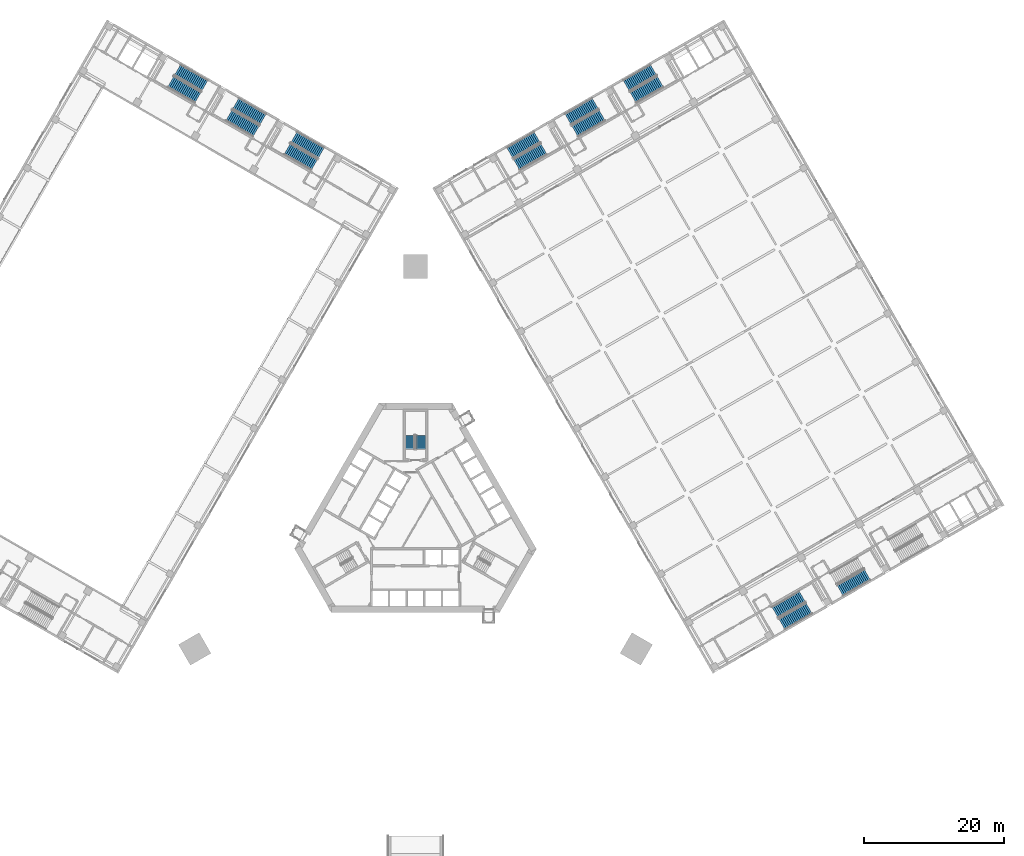
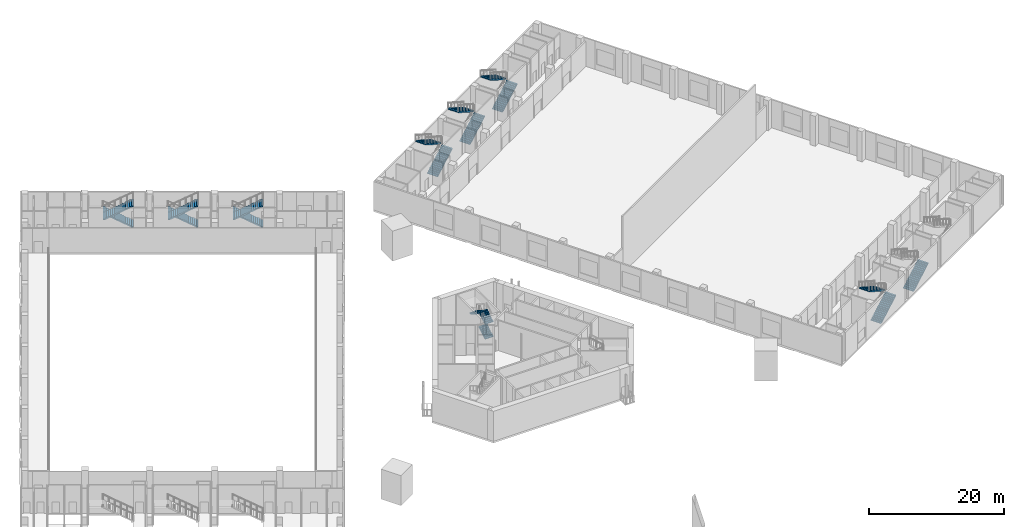
# One storey, part 24 of 35: 18 stair flights, 9 elements without a shape of their own.
"""IFC4 building model written with IfcOpenShell, lengths in metres."""

from ifc_helpers import new_model, si_unit, direction, frame, origin, place, context, subcontext, project, spatial, polyline, outline, extrude, material, type_object, element, aggregate, save


model = new_model("IFC4")

# Units and contexts
model_context = context("Model", 3, precision=1e-05, world=origin(), true_north=direction((0.0, 1.0)))
body_context = subcontext(model_context, "Body", "Model", "MODEL_VIEW")
ifc_project = project(units=[si_unit("LENGTHUNIT", "METRE"), si_unit("AREAUNIT", "SQUARE_METRE"), si_unit("VOLUMEUNIT", "CUBIC_METRE"), si_unit("PLANEANGLEUNIT", "RADIAN"), si_unit("MASSUNIT", "GRAM", prefix="KILO")], contexts=[model_context])

# Site, building, storey
site_placement = place(None, origin())
site = spatial("IfcSite", under=ifc_project, at=site_placement, CompositionType="ELEMENT")
building_placement = place(site_placement, origin())
building = spatial("IfcBuilding", under=site, at=building_placement, Name="Mestral Congress Tower", CompositionType="ELEMENT")
storey_placement = place(building_placement, frame((0.0, 0.0, 6.0)))
storey = spatial("IfcBuildingStorey", under=building, at=storey_placement, Name="L01", CompositionType="ELEMENT", Elevation=6.0)

# Stair, stair flights
ifc_material_1 = material(Name="Concrete C60/75", Category="concrete")
stair_type_1 = type_object("IfcStairType", Name="Exit stair 1400", PredefinedType="HALF_TURN_STAIR", material=ifc_material_1)
placement = place(storey_placement, origin())
stair_1 = element("IfcStair", 1, at=placement, inside=storey, type_object=stair_type_1, Name="L01 ST2", PredefinedType="HALF_TURN_STAIR")
stair_flight_type_1 = type_object("IfcStairFlightType", Name="Exit stair flight 1400", PredefinedType="STRAIGHT", material=ifc_material_1)
stair_flight_1_placement = place(storey_placement, frame((0.77490234375, 10.35009765625, 0.0), z_axis=(0.0, 0.0, 1.0), x_axis=(0.0, 1.0, 0.0)))
stair_flight_1 = element("IfcStairFlight", 2, at=stair_flight_1_placement, type_object=stair_flight_type_1, Name="ST2 flight 1", NumberOfRisers=8, NumberOfTreads=7, PredefinedType="STRAIGHT", RiserHeight=0.16875, TreadLength=0.28, context=body_context, shape_type="SweptSolid", body=[
    extrude(outline(polyline([(0.0, 0.0), (0.0, 0.168701171875), (0.280029296875, 0.168701171875), (0.280029296875, 0.33740234375), (0.56005859375, 0.33740234375), (0.56005859375, 0.50634765625), (0.840087890625, 0.50634765625), (0.840087890625, 0.675048828125), (1.1201171875, 0.675048828125), (1.1201171875, 0.84375), (1.39990234375, 0.84375), (1.39990234375, 1.012451171875), (1.679931640625, 1.012451171875), (1.679931640625, 1.18115234375), (1.9599609375, 1.18115234375), (1.9599609375, 1.35009765625), (1.9599609375, 1.00634765625), (0.29052734375, 0.0), (0.0, 0.0)])), frame((0.0, 0.699951171875, 0.0), z_axis=(0.0, -1.0, 0.0), x_axis=(1.0, 0.0, 0.0)), (0.0, 0.0, 1.0), 0.700927734375),
    extrude(outline(polyline([(0.0, 0.0), (0.0, 0.168701171875), (0.280029296875, 0.168701171875), (0.280029296875, 0.33740234375), (0.56005859375, 0.33740234375), (0.56005859375, 0.50634765625), (0.840087890625, 0.50634765625), (0.840087890625, 0.675048828125), (1.1201171875, 0.675048828125), (1.1201171875, 0.84375), (1.39990234375, 0.84375), (1.39990234375, 1.012451171875), (1.679931640625, 1.012451171875), (1.679931640625, 1.18115234375), (1.9599609375, 1.18115234375), (1.9599609375, 1.35009765625), (1.9599609375, 1.00634765625), (0.29052734375, 0.0), (0.0, 0.0)])), frame((0.0, 0.0009765625, 0.0), z_axis=(0.0, -1.0, 0.0), x_axis=(1.0, 0.0, 0.0)), (0.0, 0.0, 1.0), 0.700927734375),
])
stair_flight_2_placement = place(storey_placement, frame((0.77490234375, 10.35009765625, 2.699951171875), z_axis=(0.0, 0.0, 1.0), x_axis=(0.0, 1.0, 0.0)))
stair_flight_2 = element("IfcStairFlight", 3, at=stair_flight_2_placement, type_object=stair_flight_type_1, Name="ST2 flight 3", NumberOfRisers=8, NumberOfTreads=7, PredefinedType="STRAIGHT", RiserHeight=0.16875, TreadLength=0.28, context=body_context, shape_type="SweptSolid", body=[
    extrude(outline(polyline([(0.0, 0.0), (0.0, 0.168701171875), (0.280029296875, 0.168701171875), (0.280029296875, 0.33740234375), (0.56005859375, 0.33740234375), (0.56005859375, 0.50634765625), (0.840087890625, 0.50634765625), (0.840087890625, 0.675048828125), (1.1201171875, 0.675048828125), (1.1201171875, 0.84375), (1.39990234375, 0.84375), (1.39990234375, 1.012451171875), (1.679931640625, 1.012451171875), (1.679931640625, 1.18115234375), (1.9599609375, 1.18115234375), (1.9599609375, 1.35009765625), (1.9599609375, 1.00634765625), (0.29052734375, 0.0), (0.0, 0.0)])), frame((0.0, 0.699951171875, 0.0), z_axis=(0.0, -1.0, 0.0), x_axis=(1.0, 0.0, 0.0)), (0.0, 0.0, 1.0), 0.700927734375),
    extrude(outline(polyline([(0.0, 0.0), (0.0, 0.168701171875), (0.280029296875, 0.168701171875), (0.280029296875, 0.33740234375), (0.56005859375, 0.33740234375), (0.56005859375, 0.50634765625), (0.840087890625, 0.50634765625), (0.840087890625, 0.675048828125), (1.1201171875, 0.675048828125), (1.1201171875, 0.84375), (1.39990234375, 0.84375), (1.39990234375, 1.012451171875), (1.679931640625, 1.012451171875), (1.679931640625, 1.18115234375), (1.9599609375, 1.18115234375), (1.9599609375, 1.35009765625), (1.9599609375, 1.00634765625), (0.29052734375, 0.0), (0.0, 0.0)])), frame((0.0, 0.0009765625, 0.0), z_axis=(0.0, -1.0, 0.0), x_axis=(1.0, 0.0, 0.0)), (0.0, 0.0, 1.0), 0.700927734375),
])
stair_flight_3_placement = place(storey_placement, frame((-0.77490234375, 12.31005859375, 4.050048828125), z_axis=(0.0, 0.0, 1.0), x_axis=(0.0, -1.0, 0.0)))
stair_flight_3 = element("IfcStairFlight", 4, at=stair_flight_3_placement, type_object=stair_flight_type_1, Name="ST2 flight 4", NumberOfRisers=8, NumberOfTreads=7, PredefinedType="STRAIGHT", RiserHeight=0.16875, TreadLength=0.28, context=body_context, shape_type="SweptSolid", body=[
    extrude(outline(polyline([(0.0, 0.0), (0.0, 0.168701171875), (0.280029296875, 0.168701171875), (0.280029296875, 0.33740234375), (0.56005859375, 0.33740234375), (0.56005859375, 0.50634765625), (0.840087890625, 0.50634765625), (0.840087890625, 0.675048828125), (1.1201171875, 0.675048828125), (1.1201171875, 0.84375), (1.39990234375, 0.84375), (1.39990234375, 1.012451171875), (1.679931640625, 1.012451171875), (1.679931640625, 1.18115234375), (1.9599609375, 1.18115234375), (1.9599609375, 1.35009765625), (1.9599609375, 1.00634765625), (0.29052734375, 0.0), (0.0, 0.0)])), frame((0.0, 0.699951171875, 0.0), z_axis=(0.0, -1.0, 0.0), x_axis=(1.0, 0.0, 0.0)), (0.0, 0.0, 1.0), 0.700927734375),
    extrude(outline(polyline([(0.0, 0.0), (0.0, 0.168701171875), (0.280029296875, 0.168701171875), (0.280029296875, 0.33740234375), (0.56005859375, 0.33740234375), (0.56005859375, 0.50634765625), (0.840087890625, 0.50634765625), (0.840087890625, 0.675048828125), (1.1201171875, 0.675048828125), (1.1201171875, 0.84375), (1.39990234375, 0.84375), (1.39990234375, 1.012451171875), (1.679931640625, 1.012451171875), (1.679931640625, 1.18115234375), (1.9599609375, 1.18115234375), (1.9599609375, 1.35009765625), (1.9599609375, 1.00634765625), (0.29052734375, 0.0), (0.0, 0.0)])), frame((0.0, 0.0009765625, 0.0), z_axis=(0.0, -1.0, 0.0), x_axis=(1.0, 0.0, 0.0)), (0.0, 0.0, 1.0), 0.700927734375),
])
aggregate(stair_1, [stair_flight_1, stair_flight_2, stair_flight_3])

ifc_material_2 = material(Name="Concrete C40/50", Category="concrete")
stair_type_2 = type_object("IfcStairType", Name="Podium exit stair 1800", PredefinedType="HALF_TURN_STAIR", material=ifc_material_2)
stair_2 = element("IfcStair", 5, at=placement, inside=storey, type_object=stair_type_2, Name="L01 Exit stair E1", PredefinedType="HALF_TURN_STAIR")
stair_flight_type_2 = type_object("IfcStairFlightType", Name="Podium exit stair flight 1800", PredefinedType="STRAIGHT", material=ifc_material_2)
stair_flight_4_placement = place(storey_placement, frame((52.31494140625, -14.656005859375, 0.0), z_axis=(0.0, 0.0, 1.0), x_axis=(0.866025403784, 0.5, 0.0)))
stair_flight_4 = element("IfcStairFlight", 6, at=stair_flight_4_placement, type_object=stair_flight_type_2, Name="PS-E1 flight 1", NumberOfRisers=17, NumberOfTreads=16, PredefinedType="STRAIGHT", RiserHeight=0.158823529, TreadLength=0.28, context=body_context, shape_type="SweptSolid", body=[
    extrude(outline(polyline([(0.0, 0.0), (0.0, 0.158935546875), (0.280029296875, 0.158935546875), (0.280029296875, 0.317626953125), (0.56005859375, 0.317626953125), (0.56005859375, 0.4765625), (0.840087890625, 0.4765625), (0.840087890625, 0.63525390625), (1.1201171875, 0.63525390625), (1.1201171875, 0.794189453125), (1.39990234375, 0.794189453125), (1.39990234375, 0.952880859375), (1.679931640625, 0.952880859375), (1.679931640625, 1.11181640625), (1.9599609375, 1.11181640625), (1.9599609375, 1.2705078125), (2.239990234375, 1.2705078125), (2.239990234375, 1.429443359375), (2.52001953125, 1.429443359375), (2.52001953125, 1.588134765625), (2.800048828125, 1.588134765625), (2.800048828125, 1.7470703125), (3.080078125, 1.7470703125), (3.080078125, 1.90576171875), (3.360107421875, 1.90576171875), (3.360107421875, 2.064697265625), (3.639892578125, 2.064697265625), (3.639892578125, 2.2236328125), (3.919921875, 2.2236328125), (3.919921875, 2.38232421875), (4.199951171875, 2.38232421875), (4.199951171875, 2.541259765625), (4.47998046875, 2.541259765625), (4.47998046875, 2.699951171875), (4.47998046875, 2.368896484375), (0.3037109375, 0.0), (0.0, 0.0)])), frame((0.0, 0.89990234375, 0.0), z_axis=(0.0, -1.0, 0.0), x_axis=(1.0, 0.0, 0.0)), (0.0, 0.0, 1.0), 1.800048828125),
])
stair_flight_5_placement = place(storey_placement, frame((55.2197265625, -10.727294921875, 2.699951171875), z_axis=(0.0, 0.0, 1.0), x_axis=(-0.866025403784, -0.5, 0.0)))
stair_flight_5 = element("IfcStairFlight", 7, at=stair_flight_5_placement, type_object=stair_flight_type_2, Name="PS-E1 flight 2", NumberOfRisers=17, NumberOfTreads=16, PredefinedType="STRAIGHT", RiserHeight=0.158823529, TreadLength=0.28, context=body_context, shape_type="SweptSolid", body=[
    extrude(outline(polyline([(0.0, 0.0), (0.0, 0.158935546875), (0.280029296875, 0.158935546875), (0.280029296875, 0.317626953125), (0.56005859375, 0.317626953125), (0.56005859375, 0.4765625), (0.840087890625, 0.4765625), (0.840087890625, 0.63525390625), (1.1201171875, 0.63525390625), (1.1201171875, 0.794189453125), (1.39990234375, 0.794189453125), (1.39990234375, 0.952880859375), (1.679931640625, 0.952880859375), (1.679931640625, 1.11181640625), (1.9599609375, 1.11181640625), (1.9599609375, 1.2705078125), (2.239990234375, 1.2705078125), (2.239990234375, 1.429443359375), (2.52001953125, 1.429443359375), (2.52001953125, 1.588134765625), (2.800048828125, 1.588134765625), (2.800048828125, 1.7470703125), (3.080078125, 1.7470703125), (3.080078125, 1.90576171875), (3.360107421875, 1.90576171875), (3.360107421875, 2.064697265625), (3.639892578125, 2.064697265625), (3.639892578125, 2.2236328125), (3.919921875, 2.2236328125), (3.919921875, 2.38232421875), (4.199951171875, 2.38232421875), (4.199951171875, 2.541259765625), (4.47998046875, 2.541259765625), (4.47998046875, 2.699951171875), (4.47998046875, 2.368896484375), (0.3037109375, 0.0), (0.0, 0.0)])), frame((0.0, 0.89990234375, 0.0), z_axis=(0.0, -1.0, 0.0), x_axis=(1.0, 0.0, 0.0)), (0.0, 0.0, 1.0), 1.800048828125),
])
aggregate(stair_2, [stair_flight_4, stair_flight_5])

# Stair, stair flight
stair_3 = element("IfcStair", 8, at=placement, inside=storey, type_object=stair_type_2, Name="L01 Exit stair E2", PredefinedType="HALF_TURN_STAIR")
stair_flight_6_placement = place(storey_placement, frame((60.628662109375, -9.85595703125, 0.0), z_axis=(0.0, 0.0, 1.0), x_axis=(0.866025403784, 0.5, 0.0)))
stair_flight_6 = element("IfcStairFlight", 9, at=stair_flight_6_placement, type_object=stair_flight_type_2, Name="PS-E2 flight 1", NumberOfRisers=17, NumberOfTreads=16, PredefinedType="STRAIGHT", RiserHeight=0.158823529, TreadLength=0.28, context=body_context, shape_type="SweptSolid", body=[
    extrude(outline(polyline([(0.0, 0.0), (0.0, 0.158935546875), (0.280029296875, 0.158935546875), (0.280029296875, 0.317626953125), (0.56005859375, 0.317626953125), (0.56005859375, 0.4765625), (0.840087890625, 0.4765625), (0.840087890625, 0.63525390625), (1.1201171875, 0.63525390625), (1.1201171875, 0.794189453125), (1.39990234375, 0.794189453125), (1.39990234375, 0.952880859375), (1.679931640625, 0.952880859375), (1.679931640625, 1.11181640625), (1.9599609375, 1.11181640625), (1.9599609375, 1.2705078125), (2.239990234375, 1.2705078125), (2.239990234375, 1.429443359375), (2.52001953125, 1.429443359375), (2.52001953125, 1.588134765625), (2.800048828125, 1.588134765625), (2.800048828125, 1.7470703125), (3.080078125, 1.7470703125), (3.080078125, 1.90576171875), (3.360107421875, 1.90576171875), (3.360107421875, 2.064697265625), (3.639892578125, 2.064697265625), (3.639892578125, 2.2236328125), (3.919921875, 2.2236328125), (3.919921875, 2.38232421875), (4.199951171875, 2.38232421875), (4.199951171875, 2.541259765625), (4.47998046875, 2.541259765625), (4.47998046875, 2.699951171875), (4.47998046875, 2.368896484375), (0.3037109375, 0.0), (0.0, 0.0)])), frame((0.0, 0.89990234375, 0.0), z_axis=(0.0, -1.0, 0.0), x_axis=(1.0, 0.0, 0.0)), (0.0, 0.0, 1.0), 1.800048828125),
])
aggregate(stair_3, [stair_flight_6])

# Stair, stair flights
stair_4 = element("IfcStair", 10, at=placement, inside=storey, type_object=stair_type_2, Name="L01 Exit stair E4", PredefinedType="HALF_TURN_STAIR")
stair_flight_7_placement = place(storey_placement, frame((14.43994140625, 50.9453125, 0.0), z_axis=(0.0, 0.0, 1.0), x_axis=(0.866025403784, 0.5, 0.0)))
stair_flight_7 = element("IfcStairFlight", 11, at=stair_flight_7_placement, type_object=stair_flight_type_2, Name="PS-E4 flight 1", NumberOfRisers=17, NumberOfTreads=16, PredefinedType="STRAIGHT", RiserHeight=0.158823529, TreadLength=0.28, context=body_context, shape_type="SweptSolid", body=[
    extrude(outline(polyline([(0.0, 0.0), (0.0, 0.158935546875), (0.280029296875, 0.158935546875), (0.280029296875, 0.317626953125), (0.56005859375, 0.317626953125), (0.56005859375, 0.4765625), (0.840087890625, 0.4765625), (0.840087890625, 0.63525390625), (1.1201171875, 0.63525390625), (1.1201171875, 0.794189453125), (1.39990234375, 0.794189453125), (1.39990234375, 0.952880859375), (1.679931640625, 0.952880859375), (1.679931640625, 1.11181640625), (1.9599609375, 1.11181640625), (1.9599609375, 1.2705078125), (2.239990234375, 1.2705078125), (2.239990234375, 1.429443359375), (2.52001953125, 1.429443359375), (2.52001953125, 1.588134765625), (2.800048828125, 1.588134765625), (2.800048828125, 1.7470703125), (3.080078125, 1.7470703125), (3.080078125, 1.90576171875), (3.360107421875, 1.90576171875), (3.360107421875, 2.064697265625), (3.639892578125, 2.064697265625), (3.639892578125, 2.2236328125), (3.919921875, 2.2236328125), (3.919921875, 2.38232421875), (4.199951171875, 2.38232421875), (4.199951171875, 2.541259765625), (4.47998046875, 2.541259765625), (4.47998046875, 2.699951171875), (4.47998046875, 2.368896484375), (0.3037109375, 0.0), (0.0, 0.0)])), frame((0.0, 0.89990234375, 0.0), z_axis=(0.0, -1.0, 0.0), x_axis=(1.0, 0.0, 0.0)), (0.0, 0.0, 1.0), 1.800048828125),
])
stair_flight_8_placement = place(storey_placement, frame((17.3447265625, 54.8740234375, 2.699951171875), z_axis=(0.0, 0.0, 1.0), x_axis=(-0.866025403784, -0.5, 0.0)))
stair_flight_8 = element("IfcStairFlight", 12, at=stair_flight_8_placement, type_object=stair_flight_type_2, Name="PS-E4 flight 2", NumberOfRisers=17, NumberOfTreads=16, PredefinedType="STRAIGHT", RiserHeight=0.158823529, TreadLength=0.28, context=body_context, shape_type="SweptSolid", body=[
    extrude(outline(polyline([(0.0, 0.0), (0.0, 0.158935546875), (0.280029296875, 0.158935546875), (0.280029296875, 0.317626953125), (0.56005859375, 0.317626953125), (0.56005859375, 0.4765625), (0.840087890625, 0.4765625), (0.840087890625, 0.63525390625), (1.1201171875, 0.63525390625), (1.1201171875, 0.794189453125), (1.39990234375, 0.794189453125), (1.39990234375, 0.952880859375), (1.679931640625, 0.952880859375), (1.679931640625, 1.11181640625), (1.9599609375, 1.11181640625), (1.9599609375, 1.2705078125), (2.239990234375, 1.2705078125), (2.239990234375, 1.429443359375), (2.52001953125, 1.429443359375), (2.52001953125, 1.588134765625), (2.800048828125, 1.588134765625), (2.800048828125, 1.7470703125), (3.080078125, 1.7470703125), (3.080078125, 1.90576171875), (3.360107421875, 1.90576171875), (3.360107421875, 2.064697265625), (3.639892578125, 2.064697265625), (3.639892578125, 2.2236328125), (3.919921875, 2.2236328125), (3.919921875, 2.38232421875), (4.199951171875, 2.38232421875), (4.199951171875, 2.541259765625), (4.47998046875, 2.541259765625), (4.47998046875, 2.699951171875), (4.47998046875, 2.368896484375), (0.3037109375, 0.0), (0.0, 0.0)])), frame((0.0, 0.89990234375, 0.0), z_axis=(0.0, -1.0, 0.0), x_axis=(1.0, 0.0, 0.0)), (0.0, 0.0, 1.0), 1.800048828125),
])
aggregate(stair_4, [stair_flight_7, stair_flight_8])

stair_5 = element("IfcStair", 13, at=placement, inside=storey, type_object=stair_type_2, Name="L01 Exit stair E5", PredefinedType="HALF_TURN_STAIR")
stair_flight_9_placement = place(storey_placement, frame((22.753662109375, 55.745361328125, 0.0), z_axis=(0.0, 0.0, 1.0), x_axis=(0.866025403784, 0.5, 0.0)))
stair_flight_9 = element("IfcStairFlight", 14, at=stair_flight_9_placement, type_object=stair_flight_type_2, Name="PS-E5 flight 1", NumberOfRisers=17, NumberOfTreads=16, PredefinedType="STRAIGHT", RiserHeight=0.158823529, TreadLength=0.28, context=body_context, shape_type="SweptSolid", body=[
    extrude(outline(polyline([(0.0, 0.0), (0.0, 0.158935546875), (0.280029296875, 0.158935546875), (0.280029296875, 0.317626953125), (0.56005859375, 0.317626953125), (0.56005859375, 0.4765625), (0.840087890625, 0.4765625), (0.840087890625, 0.63525390625), (1.1201171875, 0.63525390625), (1.1201171875, 0.794189453125), (1.39990234375, 0.794189453125), (1.39990234375, 0.952880859375), (1.679931640625, 0.952880859375), (1.679931640625, 1.11181640625), (1.9599609375, 1.11181640625), (1.9599609375, 1.2705078125), (2.239990234375, 1.2705078125), (2.239990234375, 1.429443359375), (2.52001953125, 1.429443359375), (2.52001953125, 1.588134765625), (2.800048828125, 1.588134765625), (2.800048828125, 1.7470703125), (3.080078125, 1.7470703125), (3.080078125, 1.90576171875), (3.360107421875, 1.90576171875), (3.360107421875, 2.064697265625), (3.639892578125, 2.064697265625), (3.639892578125, 2.2236328125), (3.919921875, 2.2236328125), (3.919921875, 2.38232421875), (4.199951171875, 2.38232421875), (4.199951171875, 2.541259765625), (4.47998046875, 2.541259765625), (4.47998046875, 2.699951171875), (4.47998046875, 2.368896484375), (0.3037109375, 0.0), (0.0, 0.0)])), frame((0.0, 0.89990234375, 0.0), z_axis=(0.0, -1.0, 0.0), x_axis=(1.0, 0.0, 0.0)), (0.0, 0.0, 1.0), 1.800048828125),
])
stair_flight_10_placement = place(storey_placement, frame((25.658447265625, 59.674072265625, 2.699951171875), z_axis=(0.0, 0.0, 1.0), x_axis=(-0.866025403784, -0.5, 0.0)))
stair_flight_10 = element("IfcStairFlight", 15, at=stair_flight_10_placement, type_object=stair_flight_type_2, Name="PS-E5 flight 2", NumberOfRisers=17, NumberOfTreads=16, PredefinedType="STRAIGHT", RiserHeight=0.158823529, TreadLength=0.28, context=body_context, shape_type="SweptSolid", body=[
    extrude(outline(polyline([(0.0, 0.0), (0.0, 0.158935546875), (0.280029296875, 0.158935546875), (0.280029296875, 0.317626953125), (0.56005859375, 0.317626953125), (0.56005859375, 0.4765625), (0.840087890625, 0.4765625), (0.840087890625, 0.63525390625), (1.1201171875, 0.63525390625), (1.1201171875, 0.794189453125), (1.39990234375, 0.794189453125), (1.39990234375, 0.952880859375), (1.679931640625, 0.952880859375), (1.679931640625, 1.11181640625), (1.9599609375, 1.11181640625), (1.9599609375, 1.2705078125), (2.239990234375, 1.2705078125), (2.239990234375, 1.429443359375), (2.52001953125, 1.429443359375), (2.52001953125, 1.588134765625), (2.800048828125, 1.588134765625), (2.800048828125, 1.7470703125), (3.080078125, 1.7470703125), (3.080078125, 1.90576171875), (3.360107421875, 1.90576171875), (3.360107421875, 2.064697265625), (3.639892578125, 2.064697265625), (3.639892578125, 2.2236328125), (3.919921875, 2.2236328125), (3.919921875, 2.38232421875), (4.199951171875, 2.38232421875), (4.199951171875, 2.541259765625), (4.47998046875, 2.541259765625), (4.47998046875, 2.699951171875), (4.47998046875, 2.368896484375), (0.3037109375, 0.0), (0.0, 0.0)])), frame((0.0, 0.89990234375, 0.0), z_axis=(0.0, -1.0, 0.0), x_axis=(1.0, 0.0, 0.0)), (0.0, 0.0, 1.0), 1.800048828125),
])
aggregate(stair_5, [stair_flight_9, stair_flight_10])

stair_6 = element("IfcStair", 16, at=placement, inside=storey, type_object=stair_type_2, Name="L01 Exit stair E6", PredefinedType="HALF_TURN_STAIR")
stair_flight_11_placement = place(storey_placement, frame((31.067626953125, 60.54541015625, 0.0), z_axis=(0.0, 0.0, 1.0), x_axis=(0.866025403784, 0.5, 0.0)))
stair_flight_11 = element("IfcStairFlight", 17, at=stair_flight_11_placement, type_object=stair_flight_type_2, Name="PS-E6 flight 1", NumberOfRisers=17, NumberOfTreads=16, PredefinedType="STRAIGHT", RiserHeight=0.158823529, TreadLength=0.28, context=body_context, shape_type="SweptSolid", body=[
    extrude(outline(polyline([(0.0, 0.0), (0.0, 0.158935546875), (0.280029296875, 0.158935546875), (0.280029296875, 0.317626953125), (0.56005859375, 0.317626953125), (0.56005859375, 0.4765625), (0.840087890625, 0.4765625), (0.840087890625, 0.63525390625), (1.1201171875, 0.63525390625), (1.1201171875, 0.794189453125), (1.39990234375, 0.794189453125), (1.39990234375, 0.952880859375), (1.679931640625, 0.952880859375), (1.679931640625, 1.11181640625), (1.9599609375, 1.11181640625), (1.9599609375, 1.2705078125), (2.239990234375, 1.2705078125), (2.239990234375, 1.429443359375), (2.52001953125, 1.429443359375), (2.52001953125, 1.588134765625), (2.800048828125, 1.588134765625), (2.800048828125, 1.7470703125), (3.080078125, 1.7470703125), (3.080078125, 1.90576171875), (3.360107421875, 1.90576171875), (3.360107421875, 2.064697265625), (3.639892578125, 2.064697265625), (3.639892578125, 2.2236328125), (3.919921875, 2.2236328125), (3.919921875, 2.38232421875), (4.199951171875, 2.38232421875), (4.199951171875, 2.541259765625), (4.47998046875, 2.541259765625), (4.47998046875, 2.699951171875), (4.47998046875, 2.368896484375), (0.3037109375, 0.0), (0.0, 0.0)])), frame((0.0, 0.89990234375, 0.0), z_axis=(0.0, -1.0, 0.0), x_axis=(1.0, 0.0, 0.0)), (0.0, 0.0, 1.0), 1.800048828125),
])
stair_flight_12_placement = place(storey_placement, frame((33.972412109375, 64.47412109375, 2.699951171875), z_axis=(0.0, 0.0, 1.0), x_axis=(-0.866025403784, -0.5, 0.0)))
stair_flight_12 = element("IfcStairFlight", 18, at=stair_flight_12_placement, type_object=stair_flight_type_2, Name="PS-E6 flight 2", NumberOfRisers=17, NumberOfTreads=16, PredefinedType="STRAIGHT", RiserHeight=0.158823529, TreadLength=0.28, context=body_context, shape_type="SweptSolid", body=[
    extrude(outline(polyline([(0.0, 0.0), (0.0, 0.158935546875), (0.280029296875, 0.158935546875), (0.280029296875, 0.317626953125), (0.56005859375, 0.317626953125), (0.56005859375, 0.4765625), (0.840087890625, 0.4765625), (0.840087890625, 0.63525390625), (1.1201171875, 0.63525390625), (1.1201171875, 0.794189453125), (1.39990234375, 0.794189453125), (1.39990234375, 0.952880859375), (1.679931640625, 0.952880859375), (1.679931640625, 1.11181640625), (1.9599609375, 1.11181640625), (1.9599609375, 1.2705078125), (2.239990234375, 1.2705078125), (2.239990234375, 1.429443359375), (2.52001953125, 1.429443359375), (2.52001953125, 1.588134765625), (2.800048828125, 1.588134765625), (2.800048828125, 1.7470703125), (3.080078125, 1.7470703125), (3.080078125, 1.90576171875), (3.360107421875, 1.90576171875), (3.360107421875, 2.064697265625), (3.639892578125, 2.064697265625), (3.639892578125, 2.2236328125), (3.919921875, 2.2236328125), (3.919921875, 2.38232421875), (4.199951171875, 2.38232421875), (4.199951171875, 2.541259765625), (4.47998046875, 2.541259765625), (4.47998046875, 2.699951171875), (4.47998046875, 2.368896484375), (0.3037109375, 0.0), (0.0, 0.0)])), frame((0.0, 0.89990234375, 0.0), z_axis=(0.0, -1.0, 0.0), x_axis=(1.0, 0.0, 0.0)), (0.0, 0.0, 1.0), 1.800048828125),
])
aggregate(stair_6, [stair_flight_11, stair_flight_12])

stair_7 = element("IfcStair", 19, at=placement, inside=storey, type_object=stair_type_2, Name="L01 Exit stair W1", PredefinedType="HALF_TURN_STAIR")
stair_flight_13_placement = place(storey_placement, frame((-13.46484375, 52.634033203125, 0.0), z_axis=(0.0, 0.0, 1.0), x_axis=(-0.866025403784, 0.5, 0.0)))
stair_flight_13 = element("IfcStairFlight", 20, at=stair_flight_13_placement, type_object=stair_flight_type_2, Name="PS-W1 flight 1", NumberOfRisers=17, NumberOfTreads=16, PredefinedType="STRAIGHT", RiserHeight=0.158823529, TreadLength=0.28, context=body_context, shape_type="SweptSolid", body=[
    extrude(outline(polyline([(0.0, 0.0), (0.0, 0.158935546875), (0.280029296875, 0.158935546875), (0.280029296875, 0.317626953125), (0.56005859375, 0.317626953125), (0.56005859375, 0.4765625), (0.840087890625, 0.4765625), (0.840087890625, 0.63525390625), (1.1201171875, 0.63525390625), (1.1201171875, 0.794189453125), (1.39990234375, 0.794189453125), (1.39990234375, 0.952880859375), (1.679931640625, 0.952880859375), (1.679931640625, 1.11181640625), (1.9599609375, 1.11181640625), (1.9599609375, 1.2705078125), (2.239990234375, 1.2705078125), (2.239990234375, 1.429443359375), (2.52001953125, 1.429443359375), (2.52001953125, 1.588134765625), (2.800048828125, 1.588134765625), (2.800048828125, 1.7470703125), (3.080078125, 1.7470703125), (3.080078125, 1.90576171875), (3.360107421875, 1.90576171875), (3.360107421875, 2.064697265625), (3.639892578125, 2.064697265625), (3.639892578125, 2.2236328125), (3.919921875, 2.2236328125), (3.919921875, 2.38232421875), (4.199951171875, 2.38232421875), (4.199951171875, 2.541259765625), (4.47998046875, 2.541259765625), (4.47998046875, 2.699951171875), (4.47998046875, 2.368896484375), (0.3037109375, 0.0), (0.0, 0.0)])), frame((0.0, 0.89990234375, 0.0), z_axis=(0.0, -1.0, 0.0), x_axis=(1.0, 0.0, 0.0)), (0.0, 0.0, 1.0), 1.800048828125),
])
stair_flight_14_placement = place(storey_placement, frame((-18.31982421875, 53.185302734375, 2.699951171875), z_axis=(0.0, 0.0, 1.0), x_axis=(0.866025403784, -0.5, 0.0)))
stair_flight_14 = element("IfcStairFlight", 21, at=stair_flight_14_placement, type_object=stair_flight_type_2, Name="PS-W1 flight 2", NumberOfRisers=17, NumberOfTreads=16, PredefinedType="STRAIGHT", RiserHeight=0.158823529, TreadLength=0.28, context=body_context, shape_type="SweptSolid", body=[
    extrude(outline(polyline([(0.0, 0.0), (0.0, 0.158935546875), (0.280029296875, 0.158935546875), (0.280029296875, 0.317626953125), (0.56005859375, 0.317626953125), (0.56005859375, 0.4765625), (0.840087890625, 0.4765625), (0.840087890625, 0.63525390625), (1.1201171875, 0.63525390625), (1.1201171875, 0.794189453125), (1.39990234375, 0.794189453125), (1.39990234375, 0.952880859375), (1.679931640625, 0.952880859375), (1.679931640625, 1.11181640625), (1.9599609375, 1.11181640625), (1.9599609375, 1.2705078125), (2.239990234375, 1.2705078125), (2.239990234375, 1.429443359375), (2.52001953125, 1.429443359375), (2.52001953125, 1.588134765625), (2.800048828125, 1.588134765625), (2.800048828125, 1.7470703125), (3.080078125, 1.7470703125), (3.080078125, 1.90576171875), (3.360107421875, 1.90576171875), (3.360107421875, 2.064697265625), (3.639892578125, 2.064697265625), (3.639892578125, 2.2236328125), (3.919921875, 2.2236328125), (3.919921875, 2.38232421875), (4.199951171875, 2.38232421875), (4.199951171875, 2.541259765625), (4.47998046875, 2.541259765625), (4.47998046875, 2.699951171875), (4.47998046875, 2.368896484375), (0.3037109375, 0.0), (0.0, 0.0)])), frame((0.0, 0.89990234375, 0.0), z_axis=(0.0, -1.0, 0.0), x_axis=(1.0, 0.0, 0.0)), (0.0, 0.0, 1.0), 1.800048828125),
])
aggregate(stair_7, [stair_flight_13, stair_flight_14])

stair_8 = element("IfcStair", 22, at=placement, inside=storey, type_object=stair_type_2, Name="L01 Exit stair W2", PredefinedType="HALF_TURN_STAIR")
stair_flight_15_placement = place(storey_placement, frame((-21.77880859375, 57.43408203125, 0.0), z_axis=(0.0, 0.0, 1.0), x_axis=(-0.866025403784, 0.5, 0.0)))
stair_flight_15 = element("IfcStairFlight", 23, at=stair_flight_15_placement, type_object=stair_flight_type_2, Name="PS-W2 flight 1", NumberOfRisers=17, NumberOfTreads=16, PredefinedType="STRAIGHT", RiserHeight=0.158823529, TreadLength=0.28, context=body_context, shape_type="SweptSolid", body=[
    extrude(outline(polyline([(0.0, 0.0), (0.0, 0.158935546875), (0.280029296875, 0.158935546875), (0.280029296875, 0.317626953125), (0.56005859375, 0.317626953125), (0.56005859375, 0.4765625), (0.840087890625, 0.4765625), (0.840087890625, 0.63525390625), (1.1201171875, 0.63525390625), (1.1201171875, 0.794189453125), (1.39990234375, 0.794189453125), (1.39990234375, 0.952880859375), (1.679931640625, 0.952880859375), (1.679931640625, 1.11181640625), (1.9599609375, 1.11181640625), (1.9599609375, 1.2705078125), (2.239990234375, 1.2705078125), (2.239990234375, 1.429443359375), (2.52001953125, 1.429443359375), (2.52001953125, 1.588134765625), (2.800048828125, 1.588134765625), (2.800048828125, 1.7470703125), (3.080078125, 1.7470703125), (3.080078125, 1.90576171875), (3.360107421875, 1.90576171875), (3.360107421875, 2.064697265625), (3.639892578125, 2.064697265625), (3.639892578125, 2.2236328125), (3.919921875, 2.2236328125), (3.919921875, 2.38232421875), (4.199951171875, 2.38232421875), (4.199951171875, 2.541259765625), (4.47998046875, 2.541259765625), (4.47998046875, 2.699951171875), (4.47998046875, 2.368896484375), (0.3037109375, 0.0), (0.0, 0.0)])), frame((0.0, 0.89990234375, 0.0), z_axis=(0.0, -1.0, 0.0), x_axis=(1.0, 0.0, 0.0)), (0.0, 0.0, 1.0), 1.800048828125),
])
stair_flight_16_placement = place(storey_placement, frame((-26.633544921875, 57.9853515625, 2.699951171875), z_axis=(0.0, 0.0, 1.0), x_axis=(0.866025403784, -0.5, 0.0)))
stair_flight_16 = element("IfcStairFlight", 24, at=stair_flight_16_placement, type_object=stair_flight_type_2, Name="PS-W2 flight 2", NumberOfRisers=17, NumberOfTreads=16, PredefinedType="STRAIGHT", RiserHeight=0.158823529, TreadLength=0.28, context=body_context, shape_type="SweptSolid", body=[
    extrude(outline(polyline([(0.0, 0.0), (0.0, 0.158935546875), (0.280029296875, 0.158935546875), (0.280029296875, 0.317626953125), (0.56005859375, 0.317626953125), (0.56005859375, 0.4765625), (0.840087890625, 0.4765625), (0.840087890625, 0.63525390625), (1.1201171875, 0.63525390625), (1.1201171875, 0.794189453125), (1.39990234375, 0.794189453125), (1.39990234375, 0.952880859375), (1.679931640625, 0.952880859375), (1.679931640625, 1.11181640625), (1.9599609375, 1.11181640625), (1.9599609375, 1.2705078125), (2.239990234375, 1.2705078125), (2.239990234375, 1.429443359375), (2.52001953125, 1.429443359375), (2.52001953125, 1.588134765625), (2.800048828125, 1.588134765625), (2.800048828125, 1.7470703125), (3.080078125, 1.7470703125), (3.080078125, 1.90576171875), (3.360107421875, 1.90576171875), (3.360107421875, 2.064697265625), (3.639892578125, 2.064697265625), (3.639892578125, 2.2236328125), (3.919921875, 2.2236328125), (3.919921875, 2.38232421875), (4.199951171875, 2.38232421875), (4.199951171875, 2.541259765625), (4.47998046875, 2.541259765625), (4.47998046875, 2.699951171875), (4.47998046875, 2.368896484375), (0.3037109375, 0.0), (0.0, 0.0)])), frame((0.0, 0.89990234375, 0.0), z_axis=(0.0, -1.0, 0.0), x_axis=(1.0, 0.0, 0.0)), (0.0, 0.0, 1.0), 1.800048828125),
])
aggregate(stair_8, [stair_flight_15, stair_flight_16])

stair_9 = element("IfcStair", 25, at=placement, inside=storey, type_object=stair_type_2, Name="L01 Exit stair W3", PredefinedType="HALF_TURN_STAIR")
stair_flight_17_placement = place(storey_placement, frame((-30.092529296875, 62.234130859375, 0.0), z_axis=(0.0, 0.0, 1.0), x_axis=(-0.866025403784, 0.5, 0.0)))
stair_flight_17 = element("IfcStairFlight", 26, at=stair_flight_17_placement, type_object=stair_flight_type_2, Name="PS-W3 flight 1", NumberOfRisers=17, NumberOfTreads=16, PredefinedType="STRAIGHT", RiserHeight=0.158823529, TreadLength=0.28, context=body_context, shape_type="SweptSolid", body=[
    extrude(outline(polyline([(0.0, 0.0), (0.0, 0.158935546875), (0.280029296875, 0.158935546875), (0.280029296875, 0.317626953125), (0.56005859375, 0.317626953125), (0.56005859375, 0.4765625), (0.840087890625, 0.4765625), (0.840087890625, 0.63525390625), (1.1201171875, 0.63525390625), (1.1201171875, 0.794189453125), (1.39990234375, 0.794189453125), (1.39990234375, 0.952880859375), (1.679931640625, 0.952880859375), (1.679931640625, 1.11181640625), (1.9599609375, 1.11181640625), (1.9599609375, 1.2705078125), (2.239990234375, 1.2705078125), (2.239990234375, 1.429443359375), (2.52001953125, 1.429443359375), (2.52001953125, 1.588134765625), (2.800048828125, 1.588134765625), (2.800048828125, 1.7470703125), (3.080078125, 1.7470703125), (3.080078125, 1.90576171875), (3.360107421875, 1.90576171875), (3.360107421875, 2.064697265625), (3.639892578125, 2.064697265625), (3.639892578125, 2.2236328125), (3.919921875, 2.2236328125), (3.919921875, 2.38232421875), (4.199951171875, 2.38232421875), (4.199951171875, 2.541259765625), (4.47998046875, 2.541259765625), (4.47998046875, 2.699951171875), (4.47998046875, 2.368896484375), (0.3037109375, 0.0), (0.0, 0.0)])), frame((0.0, 0.89990234375, 0.0), z_axis=(0.0, -1.0, 0.0), x_axis=(1.0, 0.0, 0.0)), (0.0, 0.0, 1.0), 1.800048828125),
])
stair_flight_18_placement = place(storey_placement, frame((-34.947265625, 62.785400390625, 2.699951171875), z_axis=(0.0, 0.0, 1.0), x_axis=(0.866025403784, -0.5, 0.0)))
stair_flight_18 = element("IfcStairFlight", 27, at=stair_flight_18_placement, type_object=stair_flight_type_2, Name="PS-W3 flight 2", NumberOfRisers=17, NumberOfTreads=16, PredefinedType="STRAIGHT", RiserHeight=0.158823529, TreadLength=0.28, context=body_context, shape_type="SweptSolid", body=[
    extrude(outline(polyline([(0.0, 0.0), (0.0, 0.158935546875), (0.280029296875, 0.158935546875), (0.280029296875, 0.317626953125), (0.56005859375, 0.317626953125), (0.56005859375, 0.4765625), (0.840087890625, 0.4765625), (0.840087890625, 0.63525390625), (1.1201171875, 0.63525390625), (1.1201171875, 0.794189453125), (1.39990234375, 0.794189453125), (1.39990234375, 0.952880859375), (1.679931640625, 0.952880859375), (1.679931640625, 1.11181640625), (1.9599609375, 1.11181640625), (1.9599609375, 1.2705078125), (2.239990234375, 1.2705078125), (2.239990234375, 1.429443359375), (2.52001953125, 1.429443359375), (2.52001953125, 1.588134765625), (2.800048828125, 1.588134765625), (2.800048828125, 1.7470703125), (3.080078125, 1.7470703125), (3.080078125, 1.90576171875), (3.360107421875, 1.90576171875), (3.360107421875, 2.064697265625), (3.639892578125, 2.064697265625), (3.639892578125, 2.2236328125), (3.919921875, 2.2236328125), (3.919921875, 2.38232421875), (4.199951171875, 2.38232421875), (4.199951171875, 2.541259765625), (4.47998046875, 2.541259765625), (4.47998046875, 2.699951171875), (4.47998046875, 2.368896484375), (0.3037109375, 0.0), (0.0, 0.0)])), frame((0.0, 0.89990234375, 0.0), z_axis=(0.0, -1.0, 0.0), x_axis=(1.0, 0.0, 0.0)), (0.0, 0.0, 1.0), 1.800048828125),
])
aggregate(stair_9, [stair_flight_17, stair_flight_18])

save(model, "model.ifc")
